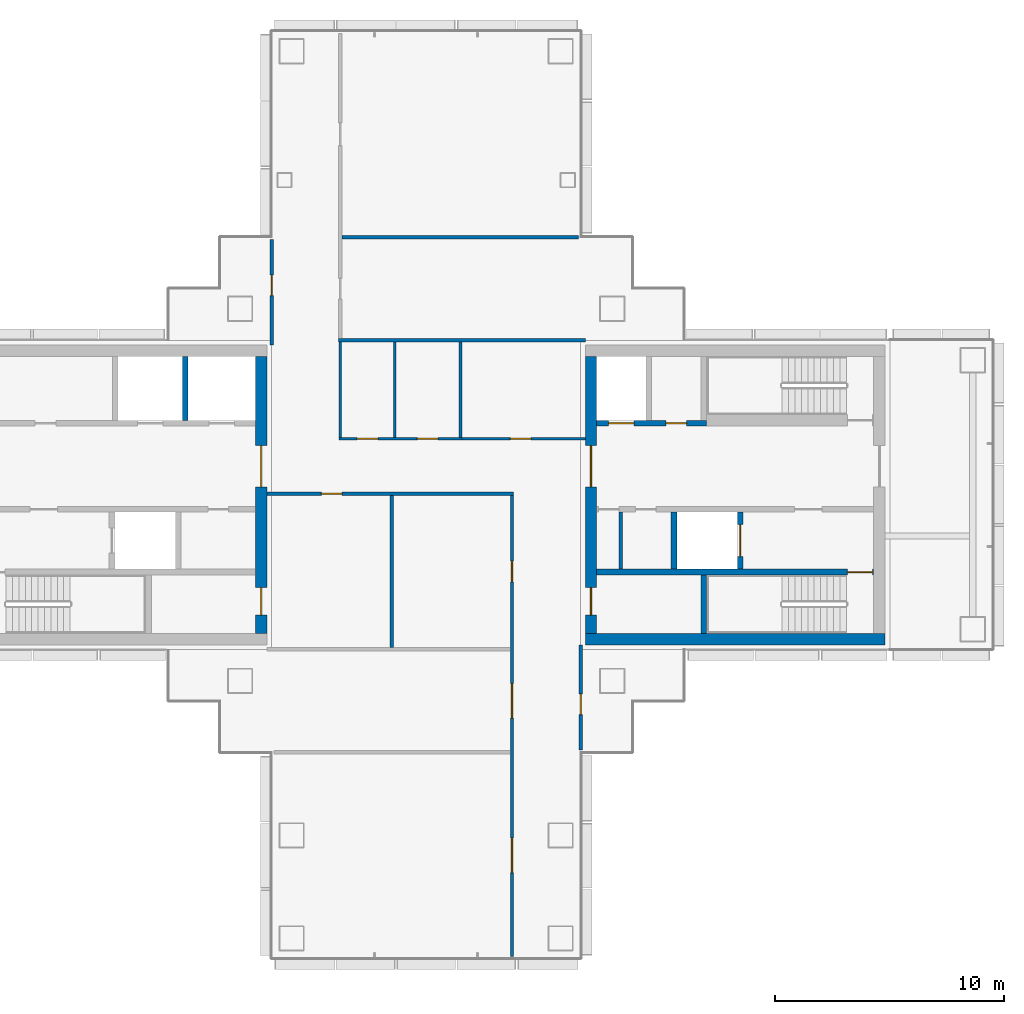
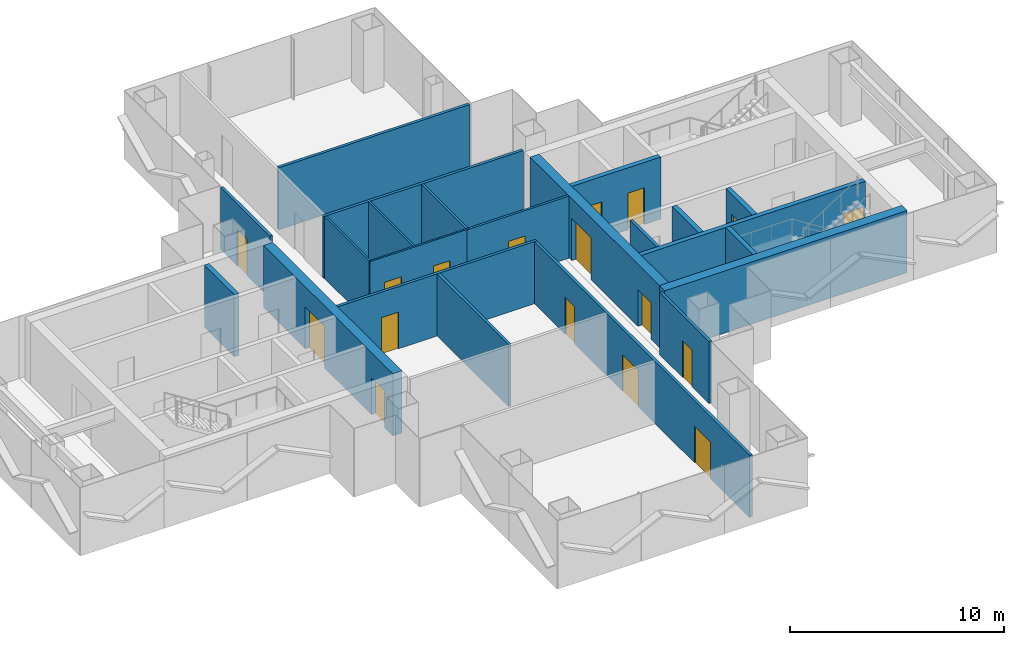
# One storey, part 11 of 16: 22 walls, 17 doors, 17 openings.
"""IFC4 building model written with IfcOpenShell, lengths in metres."""

from ifc_helpers import new_model, si_unit, direction, frame, frame_2d, origin, place, context, subcontext, project, spatial, rectangle, extrude, material, layer, layer_set, type_object, element, fill, save


model = new_model("IFC4")

# Units and contexts
model_context = context("Model", 3, precision=1e-05, world=origin(), true_north=direction((0.0, 1.0)))
body_context = subcontext(model_context, "Body", "Model", "MODEL_VIEW")
ifc_project = project(units=[si_unit("LENGTHUNIT", "METRE"), si_unit("AREAUNIT", "SQUARE_METRE"), si_unit("VOLUMEUNIT", "CUBIC_METRE"), si_unit("PLANEANGLEUNIT", "RADIAN"), si_unit("MASSUNIT", "GRAM", prefix="KILO")], contexts=[model_context])

# Site, building, storey
site_placement = place(None, origin())
site = spatial("IfcSite", under=ifc_project, at=site_placement, CompositionType="ELEMENT")
building_placement = place(site_placement, origin())
building = spatial("IfcBuilding", under=site, at=building_placement, Name="Shamsa Quay Exchange Towers", CompositionType="ELEMENT")
storey_placement = place(building_placement, frame((0.0, 0.0, 162.300048828125)))
storey = spatial("IfcBuildingStorey", under=building, at=storey_placement, Name="L38", CompositionType="ELEMENT", Elevation=162.300048828125)

# Wall, openings, doors
ifc_material_1 = material(Name="Concrete C60/75", Category="concrete")
ifc_layer_1 = layer(ifc_material_1, 0.5)
ifc_layer_set_1 = layer_set([ifc_layer_1], Name="CORE WALL 500 C60/75")
wall_type_1 = type_object("IfcWallType", Name="CORE WALL 500 C60/75", PredefinedType="SHEAR", material=ifc_layer_set_1)
wall_1_placement = place(storey_placement, frame((26.550048828125, 6.050048828125, 0.0), z_axis=(0.0, 0.0, 1.0), x_axis=(0.0, -1.0, 0.0)))
wall_1 = element("IfcWall", 1, at=wall_1_placement, inside=storey, type_object=wall_type_1, Name="Core wall T2A-R18-PB", PredefinedType="SHEAR", context=body_context, shape_type="SweptSolid", body=[
    extrude(rectangle(XDim=12.10009765625, YDim=0.5, at=frame_2d((6.050048828125, 0.0))), origin(), (0.0, 0.0, 1.0), 3.550048828125),
])
opening_1_placement = place(wall_1_placement, frame((10.10009765625, 0.0, 0.0)))
opening_1 = element("IfcOpeningElement", 2, at=opening_1_placement, cuts=wall_1, Name="Opening T2A-R18-RD02", PredefinedType="OPENING", context=body_context, shape_type="SweptSolid", body=[
    extrude(rectangle(XDim=1.199951171875, YDim=2.10009765625, at=frame_2d((0.60009765625, 1.050048828125))), frame((0.0, 0.260009765625, 0.0), z_axis=(0.0, -1.0, 0.0), x_axis=(1.0, 0.0, 0.0)), (0.0, 0.0, 1.0), 0.52001953125),
])
opening_2_placement = place(wall_1_placement, frame((3.89990234375, 0.0, 0.0)))
opening_2 = element("IfcOpeningElement", 3, at=opening_2_placement, cuts=wall_1, Name="Opening T2A-R18-LBD03", PredefinedType="OPENING", context=body_context, shape_type="SweptSolid", body=[
    extrude(rectangle(XDim=1.800048828125, YDim=2.39990234375, at=frame_2d((0.89990234375, 1.199951171875))), frame((0.0, 0.260009765625, 0.0), z_axis=(0.0, -1.0, 0.0), x_axis=(1.0, 0.0, 0.0)), (0.0, 0.0, 1.0), 0.52001953125),
])
ifc_material_2 = material(Name="Steel, fire rated", Category="steel")
door_type_1 = type_object("IfcDoorType", Name="LIFT LOBBY DOOR PAIR 1800", OperationType="DOUBLE_DOOR_SINGLE_SWING", PredefinedType="DOOR", material=ifc_material_2)
door_1_placement = place(opening_2_placement, origin())
door_1 = element("IfcDoor", 4, at=door_1_placement, inside=storey, type_object=door_type_1, Name="T2A-R18-LBD03", OperationType="DOUBLE_DOOR_SINGLE_SWING", OverallHeight=2.39990234375, OverallWidth=1.800048828125, PredefinedType="DOOR", context=body_context, shape_type="SweptSolid", body=[
    extrude(rectangle(XDim=1.800048828125, YDim=2.39990234375, at=frame_2d((0.89990234375, 1.199951171875))), frame((0.0, 0.02490234375, 0.0), z_axis=(0.0, -1.0, 0.0), x_axis=(1.0, 0.0, 0.0)), (0.0, 0.0, 1.0), 0.050048828125),
])
fill(opening_2, door_1)
door_type_2 = type_object("IfcDoorType", Name="RISER ACCESS DOOR 1200", OperationType="SINGLE_SWING_LEFT", PredefinedType="DOOR", material=ifc_material_2)
door_2_placement = place(opening_1_placement, origin())
door_2 = element("IfcDoor", 5, at=door_2_placement, inside=storey, type_object=door_type_2, Name="T2A-R18-RD02", OperationType="SINGLE_SWING_RIGHT", OverallHeight=2.10009765625, OverallWidth=1.199951171875, PredefinedType="DOOR", context=body_context, shape_type="SweptSolid", body=[
    extrude(rectangle(XDim=1.199951171875, YDim=2.10009765625, at=frame_2d((0.60009765625, 1.050048828125))), frame((0.0, 0.02490234375, 0.0), z_axis=(0.0, -1.0, 0.0), x_axis=(1.0, 0.0, 0.0)), (0.0, 0.0, 1.0), 0.050048828125),
])
fill(opening_1, door_2)

# Wall
wall_2_placement = place(storey_placement, frame((53.800048828125, -6.300048828125, 0.0), z_axis=(0.0, 0.0, 1.0), x_axis=(-1.0, 0.0, 0.0)))
element("IfcWall", 6, at=wall_2_placement, inside=storey, type_object=wall_type_1, Name="Core wall T2B-R18-PS", PredefinedType="SHEAR", context=body_context, shape_type="SweptSolid", body=[
    extrude(rectangle(XDim=13.10009765625, YDim=0.5, at=frame_2d((6.550048828125, 0.0))), origin(), (0.0, 0.0, 1.0), 3.550048828125),
])

# Wall, openings, doors
wall_3_placement = place(storey_placement, frame((40.949951171875, -6.050048828125, 0.0), z_axis=(0.0, 0.0, 1.0), x_axis=(0.0, 1.0, 0.0)))
wall_3 = element("IfcWall", 7, at=wall_3_placement, inside=storey, type_object=wall_type_1, Name="Core wall T2B-R18-PB", PredefinedType="SHEAR", context=body_context, shape_type="SweptSolid", body=[
    extrude(rectangle(XDim=12.10009765625, YDim=0.5, at=frame_2d((6.050048828125, 0.0))), origin(), (0.0, 0.0, 1.0), 3.550048828125),
])
opening_3_placement = place(wall_3_placement, frame((0.800048828125, 0.0, 0.0)))
opening_3 = element("IfcOpeningElement", 8, at=opening_3_placement, cuts=wall_3, Name="Opening T2B-R18-RD02", PredefinedType="OPENING", context=body_context, shape_type="SweptSolid", body=[
    extrude(rectangle(XDim=1.199951171875, YDim=2.10009765625, at=frame_2d((0.60009765625, 1.050048828125))), frame((0.0, 0.260009765625, 0.0), z_axis=(0.0, -1.0, 0.0), x_axis=(1.0, 0.0, 0.0)), (0.0, 0.0, 1.0), 0.52001953125),
])
opening_4_placement = place(wall_3_placement, frame((6.39990234375, 0.0, 0.0)))
opening_4 = element("IfcOpeningElement", 9, at=opening_4_placement, cuts=wall_3, Name="Opening T2B-R18-LBD03", PredefinedType="OPENING", context=body_context, shape_type="SweptSolid", body=[
    extrude(rectangle(XDim=1.800048828125, YDim=2.39990234375, at=frame_2d((0.89990234375, 1.199951171875))), frame((0.0, 0.260009765625, 0.0), z_axis=(0.0, -1.0, 0.0), x_axis=(1.0, 0.0, 0.0)), (0.0, 0.0, 1.0), 0.52001953125),
])
door_3_placement = place(opening_4_placement, origin())
door_3 = element("IfcDoor", 10, at=door_3_placement, inside=storey, type_object=door_type_1, Name="T2B-R18-LBD03", OperationType="DOUBLE_DOOR_SINGLE_SWING", OverallHeight=2.39990234375, OverallWidth=1.800048828125, PredefinedType="DOOR", context=body_context, shape_type="SweptSolid", body=[
    extrude(rectangle(XDim=1.800048828125, YDim=2.39990234375, at=frame_2d((0.89990234375, 1.199951171875))), frame((0.0, 0.02490234375, 0.0), z_axis=(0.0, -1.0, 0.0), x_axis=(1.0, 0.0, 0.0)), (0.0, 0.0, 1.0), 0.050048828125),
])
fill(opening_4, door_3)
door_4_placement = place(opening_3_placement, origin())
door_4 = element("IfcDoor", 11, at=door_4_placement, inside=storey, type_object=door_type_2, Name="T2B-R18-RD02", OperationType="SINGLE_SWING_LEFT", OverallHeight=2.10009765625, OverallWidth=1.199951171875, PredefinedType="DOOR", context=body_context, shape_type="SweptSolid", body=[
    extrude(rectangle(XDim=1.199951171875, YDim=2.10009765625, at=frame_2d((0.60009765625, 1.050048828125))), frame((0.0, 0.02490234375, 0.0), z_axis=(0.0, -1.0, 0.0), x_axis=(1.0, 0.0, 0.0)), (0.0, 0.0, 1.0), 0.050048828125),
])
fill(opening_3, door_4)

# Wall
ifc_material_3 = material(Name="Gypsum board on steel studs, EI 60", Category="steel")
ifc_layer_2 = layer(ifc_material_3, 0.14990234375)
ifc_layer_set_2 = layer_set([ifc_layer_2], Name="FIRE PARTITION 150")
wall_type_2 = type_object("IfcWallType", Name="FIRE PARTITION 150", PredefinedType="PARTITIONING", material=ifc_layer_set_2)
wall_4_placement = place(storey_placement, frame((42.25, -3.25, 0.0), z_axis=(0.0, 0.0, 1.0), x_axis=(0.0, 1.0, 0.0)))
element("IfcWall", 12, at=wall_4_placement, inside=storey, type_object=wall_type_2, Name="Partition T2B-R18-EC0", PredefinedType="PARTITIONING", context=body_context, shape_type="SweptSolid", body=[
    extrude(rectangle(XDim=2.5, YDim=0.14990234375, at=frame_2d((1.25, 0.0))), origin(), (0.0, 0.0, 1.0), 3.550048828125),
])

# Wall, opening, door
ifc_material_4 = material(Name="Laminated fire-resisting glass in a metal frame", Category="glass")
ifc_layer_3 = layer(ifc_material_4, 0.125)
ifc_layer_set_3 = layer_set([ifc_layer_3], Name="Glazed partition 125 mm EI 60")
wall_type_3 = type_object("IfcWallType", Name="Glazed partition 125 mm EI 60", PredefinedType="PARTITIONING", material=ifc_layer_set_3)
wall_5_placement = place(storey_placement, frame((35.1875, 2.4501953125, 0.0)))
wall_5 = element("IfcWall", 13, at=wall_5_placement, inside=storey, type_object=wall_type_3, Name="Partition T2-R18-W02", PredefinedType="PARTITIONING", context=body_context, shape_type="SweptSolid", body=[
    extrude(rectangle(XDim=5.512451171875, YDim=0.125, at=frame_2d((2.75634765625, 0.0))), origin(), (0.0, 0.0, 1.0), 3.550048828125),
])
opening_5_placement = place(wall_5_placement, frame((2.237548828125, 0.0, 0.0)))
opening_5 = element("IfcOpeningElement", 14, at=opening_5_placement, cuts=wall_5, Name="Opening T2-R18-D02", PredefinedType="OPENING", context=body_context, shape_type="SweptSolid", body=[
    extrude(rectangle(XDim=0.89990234375, YDim=2.10009765625, at=frame_2d((0.449951171875, 1.050048828125))), frame((0.0, 0.072509765625, 0.0), z_axis=(0.0, -1.0, 0.0), x_axis=(1.0, 0.0, 0.0)), (0.0, 0.0, 1.0), 0.14501953125),
])
ifc_material_5 = material(Name="Timber door leaf in a metal frame", Category="wood")
door_type_3 = type_object("IfcDoorType", Name="Door 900x2100 FD30S", OperationType="NOTDEFINED", PredefinedType="DOOR", material=ifc_material_5)
door_5_placement = place(opening_5_placement, origin())
door_5 = element("IfcDoor", 15, at=door_5_placement, inside=storey, type_object=door_type_3, Name="Door T2-R18-D02", OperationType="SINGLE_SWING_RIGHT", OverallHeight=2.10009765625, OverallWidth=0.89990234375, PredefinedType="DOOR", context=body_context, shape_type="SweptSolid", body=[
    extrude(rectangle(XDim=0.89990234375, YDim=2.10009765625, at=frame_2d((0.449951171875, 1.050048828125))), frame((0.0, 0.02490234375, 0.0), z_axis=(0.0, -1.0, 0.0), x_axis=(1.0, 0.0, 0.0)), (0.0, 0.0, 1.0), 0.050048828125),
])
fill(opening_5, door_5)

# Wall
wall_6_placement = place(storey_placement, frame((35.25, 6.675048828125, 0.0), z_axis=(0.0, 0.0, 1.0), x_axis=(0.0, -1.0, 0.0)))
element("IfcWall", 16, at=wall_6_placement, inside=storey, type_object=wall_type_3, Name="Partition T2-R18-W11", PredefinedType="PARTITIONING", context=body_context, shape_type="SweptSolid", body=[
    extrude(rectangle(XDim=4.162353515625, YDim=0.125, at=frame_2d((2.0810546875, 0.0))), origin(), (0.0, 0.0, 1.0), 3.550048828125),
])

# Wall, openings, doors
ifc_material_6 = material(Name="Gypsum board partition on metal studs")
ifc_layer_4 = layer(ifc_material_6, 0.10009765625)
ifc_layer_set_4 = layer_set([ifc_layer_4], Name="Partition 100 mm NOT RATED")
wall_type_4 = type_object("IfcWallType", Name="Partition 100 mm NOT RATED", PredefinedType="PARTITIONING", material=ifc_layer_set_4)
wall_7_placement = place(storey_placement, frame((29.949951171875, 2.4501953125, 0.0)))
wall_7 = element("IfcWall", 17, at=wall_7_placement, inside=storey, type_object=wall_type_4, Name="Partition T2-R18-W03", PredefinedType="PARTITIONING", context=body_context, shape_type="SweptSolid", body=[
    extrude(rectangle(XDim=5.362548828125, YDim=0.10009765625, at=frame_2d((2.68115234375, 0.0))), origin(), (0.0, 0.0, 1.0), 3.550048828125),
])
opening_6_placement = place(wall_7_placement, frame((3.41259765625, 0.0, 0.0)))
opening_6 = element("IfcOpeningElement", 18, at=opening_6_placement, cuts=wall_7, Name="Opening T2-R18-D06", PredefinedType="OPENING", context=body_context, shape_type="SweptSolid", body=[
    extrude(rectangle(XDim=0.89990234375, YDim=2.10009765625, at=frame_2d((0.449951171875, 1.050048828125))), frame((0.0, 0.06005859375, 0.0), z_axis=(0.0, -1.0, 0.0), x_axis=(1.0, 0.0, 0.0)), (0.0, 0.0, 1.0), 0.1201171875),
])
opening_7_placement = place(wall_7_placement, frame((0.78759765625, 0.0, 0.0)))
opening_7 = element("IfcOpeningElement", 19, at=opening_7_placement, cuts=wall_7, Name="Opening T2-R18-D07", PredefinedType="OPENING", context=body_context, shape_type="SweptSolid", body=[
    extrude(rectangle(XDim=0.89990234375, YDim=2.10009765625, at=frame_2d((0.449951171875, 1.050048828125))), frame((0.0, 0.06005859375, 0.0), z_axis=(0.0, -1.0, 0.0), x_axis=(1.0, 0.0, 0.0)), (0.0, 0.0, 1.0), 0.1201171875),
])
door_type_4 = type_object("IfcDoorType", Name="Door 900x2100 NOT RATED", OperationType="NOTDEFINED", PredefinedType="DOOR", material=ifc_material_5)
door_6_placement = place(opening_6_placement, origin())
door_6 = element("IfcDoor", 20, at=door_6_placement, inside=storey, type_object=door_type_4, Name="Door T2-R18-D06", OperationType="SINGLE_SWING_RIGHT", OverallHeight=2.10009765625, OverallWidth=0.89990234375, PredefinedType="DOOR", context=body_context, shape_type="SweptSolid", body=[
    extrude(rectangle(XDim=0.89990234375, YDim=2.10009765625, at=frame_2d((0.449951171875, 1.050048828125))), frame((0.0, 0.02490234375, 0.0), z_axis=(0.0, -1.0, 0.0), x_axis=(1.0, 0.0, 0.0)), (0.0, 0.0, 1.0), 0.050048828125),
])
fill(opening_6, door_6)
door_7_placement = place(opening_7_placement, origin())
door_7 = element("IfcDoor", 21, at=door_7_placement, inside=storey, type_object=door_type_4, Name="Door T2-R18-D07", OperationType="SINGLE_SWING_RIGHT", OverallHeight=2.10009765625, OverallWidth=0.89990234375, PredefinedType="DOOR", context=body_context, shape_type="SweptSolid", body=[
    extrude(rectangle(XDim=0.89990234375, YDim=2.10009765625, at=frame_2d((0.449951171875, 1.050048828125))), frame((0.0, 0.02490234375, 0.0), z_axis=(0.0, -1.0, 0.0), x_axis=(1.0, 0.0, 0.0)), (0.0, 0.0, 1.0), 0.050048828125),
])
fill(opening_7, door_7)

# Walls
for number, where, z_axis, x_axis, name in (
    (22, (30.0, 6.675048828125, 0.0), (0.0, 0.0, 1.0), (0.0, -1.0, 0.0), "Partition T2-R18-W04"),
    (23, (32.375, 6.675048828125, 0.0), (0.0, 0.0, 1.0), (0.0, -1.0, 0.0), "Partition T2-R18-W12"),
):
    element("IfcWall", number, at=place(storey_placement, frame(where, z_axis=z_axis, x_axis=x_axis)), inside=storey, type_object=wall_type_4, Name=name, PredefinedType="PARTITIONING", context=body_context, shape_type="SweptSolid", body=[
        extrude(rectangle(XDim=4.1748046875, YDim=0.10009765625, at=frame_2d((2.08740234375, 0.0))), origin(), (0.0, 0.0, 1.0), 3.550048828125),
    ])

# Wall, openings, doors
ifc_layer_5 = layer(ifc_material_6, 0.14990234375)
ifc_layer_set_5 = layer_set([ifc_layer_5], Name="Partition 150 mm EI 60")
wall_type_5 = type_object("IfcWallType", Name="Partition 150 mm EI 60", PredefinedType="PARTITIONING", material=ifc_layer_set_5)
wall_8_placement = place(storey_placement, frame((37.5, -20.155029296875, 0.0), z_axis=(0.0, 0.0, 1.0), x_axis=(0.0, 1.0, 0.0)))
wall_8 = element("IfcWall", 24, at=wall_8_placement, inside=storey, type_object=wall_type_5, Name="Partition T2-R18-W05", PredefinedType="PARTITIONING", context=body_context, shape_type="SweptSolid", body=[
    extrude(rectangle(XDim=20.1298828125, YDim=0.14990234375, at=frame_2d((10.06494140625, 0.0))), origin(), (0.0, 0.0, 1.0), 3.550048828125),
])
opening_8_placement = place(wall_8_placement, frame((16.35498046875, 0.0, 0.0)))
opening_8 = element("IfcOpeningElement", 25, at=opening_8_placement, cuts=wall_8, Name="Opening T2-R18-D03", PredefinedType="OPENING", context=body_context, shape_type="SweptSolid", body=[
    extrude(rectangle(XDim=0.89990234375, YDim=2.10009765625, at=frame_2d((0.449951171875, 1.050048828125))), frame((0.0, 0.0849609375, 0.0), z_axis=(0.0, -1.0, 0.0), x_axis=(1.0, 0.0, 0.0)), (0.0, 0.0, 1.0), 0.169921875),
])
opening_9_placement = place(wall_8_placement, frame((10.405029296875, 0.0, 0.0)))
opening_9 = element("IfcOpeningElement", 26, at=opening_9_placement, cuts=wall_8, Name="Opening T2-R18-D04", PredefinedType="OPENING", context=body_context, shape_type="SweptSolid", body=[
    extrude(rectangle(XDim=1.5, YDim=2.10009765625, at=frame_2d((0.75, 1.050048828125))), frame((0.0, 0.0849609375, 0.0), z_axis=(0.0, -1.0, 0.0), x_axis=(1.0, 0.0, 0.0)), (0.0, 0.0, 1.0), 0.169921875),
])
opening_10_placement = place(wall_8_placement, frame((3.655029296875, 0.0, 0.0)))
opening_10 = element("IfcOpeningElement", 27, at=opening_10_placement, cuts=wall_8, Name="Opening T2-R18-D05", PredefinedType="OPENING", context=body_context, shape_type="SweptSolid", body=[
    extrude(rectangle(XDim=1.5, YDim=2.10009765625, at=frame_2d((0.75, 1.050048828125))), frame((0.0, 0.0849609375, 0.0), z_axis=(0.0, -1.0, 0.0), x_axis=(1.0, 0.0, 0.0)), (0.0, 0.0, 1.0), 0.169921875),
])
door_type_5 = type_object("IfcDoorType", Name="Door 1500x2100 FD30S pair", OperationType="NOTDEFINED", PredefinedType="DOOR", material=ifc_material_5)
door_8_placement = place(opening_9_placement, origin())
door_8 = element("IfcDoor", 28, at=door_8_placement, inside=storey, type_object=door_type_5, Name="Door T2-R18-D04", OperationType="DOUBLE_DOOR_SINGLE_SWING", OverallHeight=2.10009765625, OverallWidth=1.5, PredefinedType="DOOR", context=body_context, shape_type="SweptSolid", body=[
    extrude(rectangle(XDim=1.5, YDim=2.10009765625, at=frame_2d((0.75, 1.050048828125))), frame((0.0, 0.02490234375, 0.0), z_axis=(0.0, -1.0, 0.0), x_axis=(1.0, 0.0, 0.0)), (0.0, 0.0, 1.0), 0.050048828125),
])
fill(opening_9, door_8)
door_9_placement = place(opening_10_placement, origin())
door_9 = element("IfcDoor", 29, at=door_9_placement, inside=storey, type_object=door_type_5, Name="Door T2-R18-D05", OperationType="DOUBLE_DOOR_SINGLE_SWING", OverallHeight=2.10009765625, OverallWidth=1.5, PredefinedType="DOOR", context=body_context, shape_type="SweptSolid", body=[
    extrude(rectangle(XDim=1.5, YDim=2.10009765625, at=frame_2d((0.75, 1.050048828125))), frame((0.0, 0.02490234375, 0.0), z_axis=(0.0, -1.0, 0.0), x_axis=(1.0, 0.0, 0.0)), (0.0, 0.0, 1.0), 0.050048828125),
])
fill(opening_10, door_9)
door_10_placement = place(opening_8_placement, origin())
door_10 = element("IfcDoor", 30, at=door_10_placement, inside=storey, type_object=door_type_3, Name="Door T2-R18-D03", OperationType="SINGLE_SWING_RIGHT", OverallHeight=2.10009765625, OverallWidth=0.89990234375, PredefinedType="DOOR", context=body_context, shape_type="SweptSolid", body=[
    extrude(rectangle(XDim=0.89990234375, YDim=2.10009765625, at=frame_2d((0.449951171875, 1.050048828125))), frame((0.0, 0.02490234375, 0.0), z_axis=(0.0, -1.0, 0.0), x_axis=(1.0, 0.0, 0.0)), (0.0, 0.0, 1.0), 0.050048828125),
])
fill(opening_8, door_10)

# Wall, opening, door
wall_9_placement = place(storey_placement, frame((37.574951171875, 0.0498046875, 0.0), z_axis=(0.0, 0.0, 1.0), x_axis=(-1.0, 0.0, 0.0)))
wall_9 = element("IfcWall", 31, at=wall_9_placement, inside=storey, type_object=wall_type_5, Name="Partition T2-R18-W06", PredefinedType="PARTITIONING", context=body_context, shape_type="SweptSolid", body=[
    extrude(rectangle(XDim=10.77490234375, YDim=0.14990234375, at=frame_2d((5.387451171875, 0.0))), origin(), (0.0, 0.0, 1.0), 3.550048828125),
])
opening_11_placement = place(wall_9_placement, frame((7.5, 0.0, 0.0)))
opening_11 = element("IfcOpeningElement", 32, at=opening_11_placement, cuts=wall_9, Name="Opening T2-R18-D10", PredefinedType="OPENING", context=body_context, shape_type="SweptSolid", body=[
    extrude(rectangle(XDim=0.89990234375, YDim=2.10009765625, at=frame_2d((0.449951171875, 1.050048828125))), frame((0.0, 0.0849609375, 0.0), z_axis=(0.0, -1.0, 0.0), x_axis=(1.0, 0.0, 0.0)), (0.0, 0.0, 1.0), 0.169921875),
])
door_11_placement = place(opening_11_placement, origin())
door_11 = element("IfcDoor", 33, at=door_11_placement, inside=storey, type_object=door_type_3, Name="Door T2-R18-D10", OperationType="SINGLE_SWING_RIGHT", OverallHeight=2.10009765625, OverallWidth=0.89990234375, PredefinedType="DOOR", context=body_context, shape_type="SweptSolid", body=[
    extrude(rectangle(XDim=0.89990234375, YDim=2.10009765625, at=frame_2d((0.449951171875, 1.050048828125))), frame((0.0, 0.02490234375, 0.0), z_axis=(0.0, -1.0, 0.0), x_axis=(1.0, 0.0, 0.0)), (0.0, 0.0, 1.0), 0.050048828125),
])
fill(opening_11, door_11)

wall_10_placement = place(storey_placement, frame((40.5, -6.550048828125, 0.0), z_axis=(0.0, 0.0, 1.0), x_axis=(0.0, -1.0, 0.0)))
wall_10 = element("IfcWall", 34, at=wall_10_placement, inside=storey, type_object=wall_type_5, Name="Partition T2-R18-W07", PredefinedType="PARTITIONING", context=body_context, shape_type="SweptSolid", body=[
    extrude(rectangle(XDim=4.60498046875, YDim=0.14990234375, at=frame_2d((2.302490234375, 0.0))), origin(), (0.0, 0.0, 1.0), 3.550048828125),
])
opening_12_placement = place(wall_10_placement, frame((2.14990234375, 0.0, 0.0)))
opening_12 = element("IfcOpeningElement", 35, at=opening_12_placement, cuts=wall_10, Name="Opening T2-R18-D01", PredefinedType="OPENING", context=body_context, shape_type="SweptSolid", body=[
    extrude(rectangle(XDim=0.89990234375, YDim=2.10009765625, at=frame_2d((0.449951171875, 1.050048828125))), frame((0.0, 0.0849609375, 0.0), z_axis=(0.0, -1.0, 0.0), x_axis=(1.0, 0.0, 0.0)), (0.0, 0.0, 1.0), 0.169921875),
])
door_12_placement = place(opening_12_placement, origin())
door_12 = element("IfcDoor", 36, at=door_12_placement, inside=storey, type_object=door_type_3, Name="Door T2-R18-D01", OperationType="SINGLE_SWING_LEFT", OverallHeight=2.10009765625, OverallWidth=0.89990234375, PredefinedType="DOOR", context=body_context, shape_type="SweptSolid", body=[
    extrude(rectangle(XDim=0.89990234375, YDim=2.10009765625, at=frame_2d((0.449951171875, 1.050048828125))), frame((0.0, 0.02490234375, 0.0), z_axis=(0.0, -1.0, 0.0), x_axis=(1.0, 0.0, 0.0)), (0.0, 0.0, 1.0), 0.050048828125),
])
fill(opening_12, door_12)

wall_11_placement = place(storey_placement, frame((27.0, 6.550048828125, 0.0), z_axis=(0.0, 0.0, 1.0), x_axis=(0.0, 1.0, 0.0)))
wall_11 = element("IfcWall", 37, at=wall_11_placement, inside=storey, type_object=wall_type_5, Name="Partition T2-R18-W08", PredefinedType="PARTITIONING", context=body_context, shape_type="SweptSolid", body=[
    extrude(rectangle(XDim=4.60498046875, YDim=0.14990234375, at=frame_2d((2.302490234375, 0.0))), origin(), (0.0, 0.0, 1.0), 3.550048828125),
])
opening_13_placement = place(wall_11_placement, frame((2.14990234375, 0.0, 0.0)))
opening_13 = element("IfcOpeningElement", 38, at=opening_13_placement, cuts=wall_11, Name="Opening T2-R18-D11", PredefinedType="OPENING", context=body_context, shape_type="SweptSolid", body=[
    extrude(rectangle(XDim=0.89990234375, YDim=2.10009765625, at=frame_2d((0.449951171875, 1.050048828125))), frame((0.0, 0.0849609375, 0.0), z_axis=(0.0, -1.0, 0.0), x_axis=(1.0, 0.0, 0.0)), (0.0, 0.0, 1.0), 0.169921875),
])
door_13_placement = place(opening_13_placement, origin())
door_13 = element("IfcDoor", 39, at=door_13_placement, inside=storey, type_object=door_type_3, Name="Door T2-R18-D11", OperationType="SINGLE_SWING_RIGHT", OverallHeight=2.10009765625, OverallWidth=0.89990234375, PredefinedType="DOOR", context=body_context, shape_type="SweptSolid", body=[
    extrude(rectangle(XDim=0.89990234375, YDim=2.10009765625, at=frame_2d((0.449951171875, 1.050048828125))), frame((0.0, 0.02490234375, 0.0), z_axis=(0.0, -1.0, 0.0), x_axis=(1.0, 0.0, 0.0)), (0.0, 0.0, 1.0), 0.050048828125),
])
fill(opening_13, door_13)

# Walls
wall_12_placement = place(storey_placement, frame((40.405029296875, 11.25, 0.0), z_axis=(0.0, 0.0, 1.0), x_axis=(-1.0, 0.0, 0.0)))
element("IfcWall", 40, at=wall_12_placement, inside=storey, type_object=wall_type_5, Name="Partition T2-R18-W09", PredefinedType="PARTITIONING", context=body_context, shape_type="SweptSolid", body=[
    extrude(rectangle(XDim=10.330078125, YDim=0.14990234375, at=frame_2d((5.1650390625, 0.0))), origin(), (0.0, 0.0, 1.0), 3.550048828125),
])
wall_13_placement = place(storey_placement, frame((29.925048828125, 6.75, 0.0)))
element("IfcWall", 41, at=wall_13_placement, inside=storey, type_object=wall_type_5, Name="Partition T2-R18-W10", PredefinedType="PARTITIONING", context=body_context, shape_type="SweptSolid", body=[
    extrude(rectangle(XDim=10.77490234375, YDim=0.14990234375, at=frame_2d((5.387451171875, 0.0))), origin(), (0.0, 0.0, 1.0), 3.550048828125),
])
wall_14_placement = place(storey_placement, frame((32.25, -0.025146484375, 0.0), z_axis=(0.0, 0.0, 1.0), x_axis=(0.0, -1.0, 0.0)))
element("IfcWall", 42, at=wall_14_placement, inside=storey, type_object=wall_type_5, Name="Partition T2-R18-W15", PredefinedType="PARTITIONING", context=body_context, shape_type="SweptSolid", body=[
    extrude(rectangle(XDim=6.64990234375, YDim=0.14990234375, at=frame_2d((3.324951171875, 0.0))), origin(), (0.0, 0.0, 1.0), 3.550048828125),
])
ifc_material_7 = material(Name="Concrete C50/60", Category="concrete")
ifc_layer_6 = layer(ifc_material_7, 0.25)
ifc_layer_set_6 = layer_set([ifc_layer_6], Name="SHAFT WALL 250 C50/60")
wall_type_6 = type_object("IfcWallType", Name="SHAFT WALL 250 C50/60", PredefinedType="SHEAR", material=ifc_layer_set_6)
wall_15_placement = place(storey_placement, frame((23.22509765625, 3.25, 0.0), z_axis=(0.0, 0.0, 1.0), x_axis=(0.0, 1.0, 0.0)))
element("IfcWall", 43, at=wall_15_placement, inside=storey, type_object=wall_type_6, Name="Shaft wall T2A-R18-D2", PredefinedType="SHEAR", context=body_context, shape_type="SweptSolid", body=[
    extrude(rectangle(XDim=2.800048828125, YDim=0.25, at=frame_2d((1.39990234375, 0.0))), origin(), (0.0, 0.0, 1.0), 3.550048828125),
])

# Wall, opening, door
wall_16_placement = place(storey_placement, frame((53.300048828125, -3.375, 0.0), z_axis=(0.0, 0.0, 1.0), x_axis=(-1.0, 0.0, 0.0)))
wall_16 = element("IfcWall", 44, at=wall_16_placement, inside=storey, type_object=wall_type_6, Name="Shaft wall T2B-R18-STL", PredefinedType="SHEAR", context=body_context, shape_type="SweptSolid", body=[
    extrude(rectangle(XDim=12.10009765625, YDim=0.25, at=frame_2d((6.050048828125, 0.0))), origin(), (0.0, 0.0, 1.0), 3.550048828125),
])
opening_14_placement = place(wall_16_placement, frame((0.050048828125, 0.0, 0.0)))
opening_14 = element("IfcOpeningElement", 45, at=opening_14_placement, cuts=wall_16, Name="Opening T2B-R18-SD04", PredefinedType="OPENING", context=body_context, shape_type="SweptSolid", body=[
    extrude(rectangle(XDim=1.10009765625, YDim=2.10009765625, at=frame_2d((0.550048828125, 1.050048828125))), frame((0.0, 0.135009765625, 0.0), z_axis=(0.0, -1.0, 0.0), x_axis=(1.0, 0.0, 0.0)), (0.0, 0.0, 1.0), 0.27001953125),
])
door_type_6 = type_object("IfcDoorType", Name="STAIR DOOR 1100", OperationType="SINGLE_SWING_LEFT", PredefinedType="DOOR", material=ifc_material_2)
door_14_placement = place(opening_14_placement, origin())
door_14 = element("IfcDoor", 46, at=door_14_placement, inside=storey, type_object=door_type_6, Name="T2B-R18-SD04", OperationType="SINGLE_SWING_LEFT", OverallHeight=2.10009765625, OverallWidth=1.10009765625, PredefinedType="DOOR", context=body_context, shape_type="SweptSolid", body=[
    extrude(rectangle(XDim=1.10009765625, YDim=2.10009765625, at=frame_2d((0.550048828125, 1.050048828125))), frame((0.0, 0.02490234375, 0.0), z_axis=(0.0, -1.0, 0.0), x_axis=(1.0, 0.0, 0.0)), (0.0, 0.0, 1.0), 0.050048828125),
])
fill(opening_14, door_14)

# Wall
wall_17_placement = place(storey_placement, frame((45.875, -6.050048828125, 0.0), z_axis=(0.0, 0.0, 1.0), x_axis=(0.0, 1.0, 0.0)))
element("IfcWall", 47, at=wall_17_placement, inside=storey, type_object=wall_type_6, Name="Shaft wall T2B-R18-STF", PredefinedType="SHEAR", context=body_context, shape_type="SweptSolid", body=[
    extrude(rectangle(XDim=2.550048828125, YDim=0.25, at=frame_2d((1.27490234375, 0.0))), origin(), (0.0, 0.0, 1.0), 3.550048828125),
])

# Wall, opening, door
wall_18_placement = place(storey_placement, frame((47.47509765625, -3.25, 0.0), z_axis=(0.0, 0.0, 1.0), x_axis=(0.0, 1.0, 0.0)))
wall_18 = element("IfcWall", 48, at=wall_18_placement, inside=storey, type_object=wall_type_6, Name="Shaft wall T2B-R18-FFF", PredefinedType="SHEAR", context=body_context, shape_type="SweptSolid", body=[
    extrude(rectangle(XDim=2.5, YDim=0.25, at=frame_2d((1.25, 0.0))), origin(), (0.0, 0.0, 1.0), 3.550048828125),
])
opening_15_placement = place(wall_18_placement, frame((0.550048828125, 0.0, 0.0)))
opening_15 = element("IfcOpeningElement", 49, at=opening_15_placement, cuts=wall_18, Name="Opening T2B-R18-LDG08", PredefinedType="OPENING", context=body_context, shape_type="SweptSolid", body=[
    extrude(rectangle(XDim=1.39990234375, YDim=2.39990234375, at=frame_2d((0.699951171875, 1.199951171875))), frame((0.0, 0.135009765625, 0.0), z_axis=(0.0, -1.0, 0.0), x_axis=(1.0, 0.0, 0.0)), (0.0, 0.0, 1.0), 0.27001953125),
])
door_type_7 = type_object("IfcDoorType", Name="GOODS LIFT LANDING DOOR 1400", OperationType="SLIDING_TO_LEFT", PredefinedType="DOOR", material=ifc_material_2)
door_15_placement = place(opening_15_placement, origin())
door_15 = element("IfcDoor", 50, at=door_15_placement, inside=storey, type_object=door_type_7, Name="T2B-R18-LDG08", OperationType="SLIDING_TO_LEFT", OverallHeight=2.39990234375, OverallWidth=1.39990234375, PredefinedType="DOOR", context=body_context, shape_type="SweptSolid", body=[
    extrude(rectangle(XDim=1.39990234375, YDim=2.39990234375, at=frame_2d((0.699951171875, 1.199951171875))), frame((0.0, 0.02490234375, 0.0), z_axis=(0.0, -1.0, 0.0), x_axis=(1.0, 0.0, 0.0)), (0.0, 0.0, 1.0), 0.050048828125),
])
fill(opening_15, door_15)

# Wall
wall_19_placement = place(storey_placement, frame((44.574951171875, -3.25, 0.0), z_axis=(0.0, 0.0, 1.0), x_axis=(0.0, 1.0, 0.0)))
element("IfcWall", 51, at=wall_19_placement, inside=storey, type_object=wall_type_6, Name="Shaft wall T2B-R18-FFB", PredefinedType="SHEAR", context=body_context, shape_type="SweptSolid", body=[
    extrude(rectangle(XDim=2.5, YDim=0.25, at=frame_2d((1.25, 0.0))), origin(), (0.0, 0.0, 1.0), 3.550048828125),
])

# Wall, openings, doors
wall_20_placement = place(storey_placement, frame((41.199951171875, 3.125, 0.0)))
wall_20 = element("IfcWall", 52, at=wall_20_placement, inside=storey, type_object=wall_type_6, Name="Shaft wall T2B-R18-N2", PredefinedType="SHEAR", context=body_context, shape_type="SweptSolid", body=[
    extrude(rectangle(XDim=4.800048828125, YDim=0.25, at=frame_2d((2.39990234375, 0.0))), origin(), (0.0, 0.0, 1.0), 3.550048828125),
])
opening_16_placement = place(wall_20_placement, frame((0.52490234375, 0.0, 0.0)))
opening_16 = element("IfcOpeningElement", 53, at=opening_16_placement, cuts=wall_20, Name="Opening T2B-R18-LD10", PredefinedType="OPENING", context=body_context, shape_type="SweptSolid", body=[
    extrude(rectangle(XDim=1.10009765625, YDim=2.10009765625, at=frame_2d((0.550048828125, 1.050048828125))), frame((0.0, 0.135009765625, 0.0), z_axis=(0.0, -1.0, 0.0), x_axis=(1.0, 0.0, 0.0)), (0.0, 0.0, 1.0), 0.27001953125),
])
opening_17_placement = place(wall_20_placement, frame((3.02490234375, 0.0, 0.0)))
opening_17 = element("IfcOpeningElement", 54, at=opening_17_placement, cuts=wall_20, Name="Opening T2B-R18-SV11", PredefinedType="OPENING", context=body_context, shape_type="SweptSolid", body=[
    extrude(rectangle(XDim=0.89990234375, YDim=2.10009765625, at=frame_2d((0.449951171875, 1.050048828125))), frame((0.0, 0.135009765625, 0.0), z_axis=(0.0, -1.0, 0.0), x_axis=(1.0, 0.0, 0.0)), (0.0, 0.0, 1.0), 0.27001953125),
])
door_type_8 = type_object("IfcDoorType", Name="LANDING DOOR 1100", OperationType="SLIDING_TO_LEFT", PredefinedType="DOOR", material=ifc_material_2)
door_16_placement = place(opening_16_placement, origin())
door_16 = element("IfcDoor", 55, at=door_16_placement, inside=storey, type_object=door_type_8, Name="T2B-R18-LD10", OperationType="SLIDING_TO_LEFT", OverallHeight=2.10009765625, OverallWidth=1.10009765625, PredefinedType="DOOR", context=body_context, shape_type="SweptSolid", body=[
    extrude(rectangle(XDim=1.10009765625, YDim=2.10009765625, at=frame_2d((0.550048828125, 1.050048828125))), frame((0.0, 0.02490234375, 0.0), z_axis=(0.0, -1.0, 0.0), x_axis=(1.0, 0.0, 0.0)), (0.0, 0.0, 1.0), 0.050048828125),
])
fill(opening_16, door_16)
door_type_9 = type_object("IfcDoorType", Name="SERVICE ROOM DOOR 900", OperationType="SINGLE_SWING_LEFT", PredefinedType="DOOR", material=ifc_material_2)
door_17_placement = place(opening_17_placement, origin())
door_17 = element("IfcDoor", 56, at=door_17_placement, inside=storey, type_object=door_type_9, Name="T2B-R18-SV11", OperationType="SINGLE_SWING_RIGHT", OverallHeight=2.10009765625, OverallWidth=0.89990234375, PredefinedType="DOOR", context=body_context, shape_type="SweptSolid", body=[
    extrude(rectangle(XDim=0.89990234375, YDim=2.10009765625, at=frame_2d((0.449951171875, 1.050048828125))), frame((0.0, 0.02490234375, 0.0), z_axis=(0.0, -1.0, 0.0), x_axis=(1.0, 0.0, 0.0)), (0.0, 0.0, 1.0), 0.050048828125),
])
fill(opening_17, door_17)

save(model, "model.ifc")
